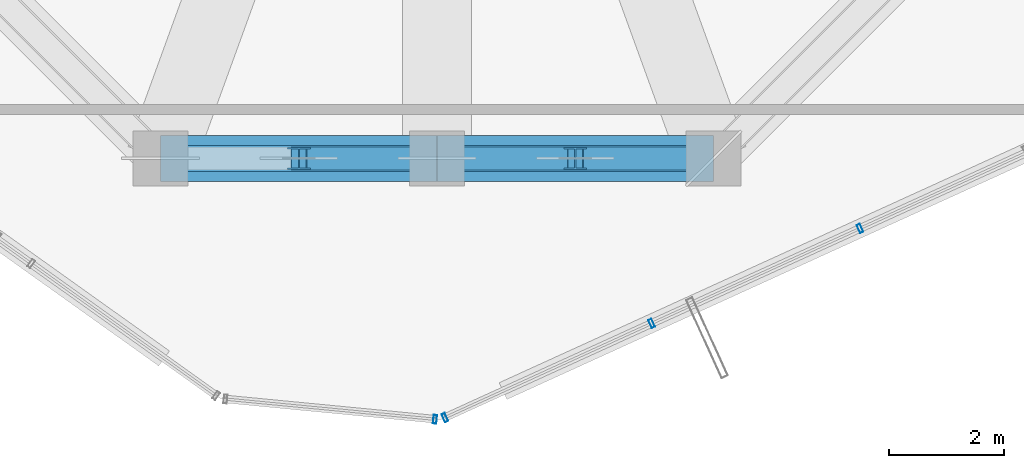
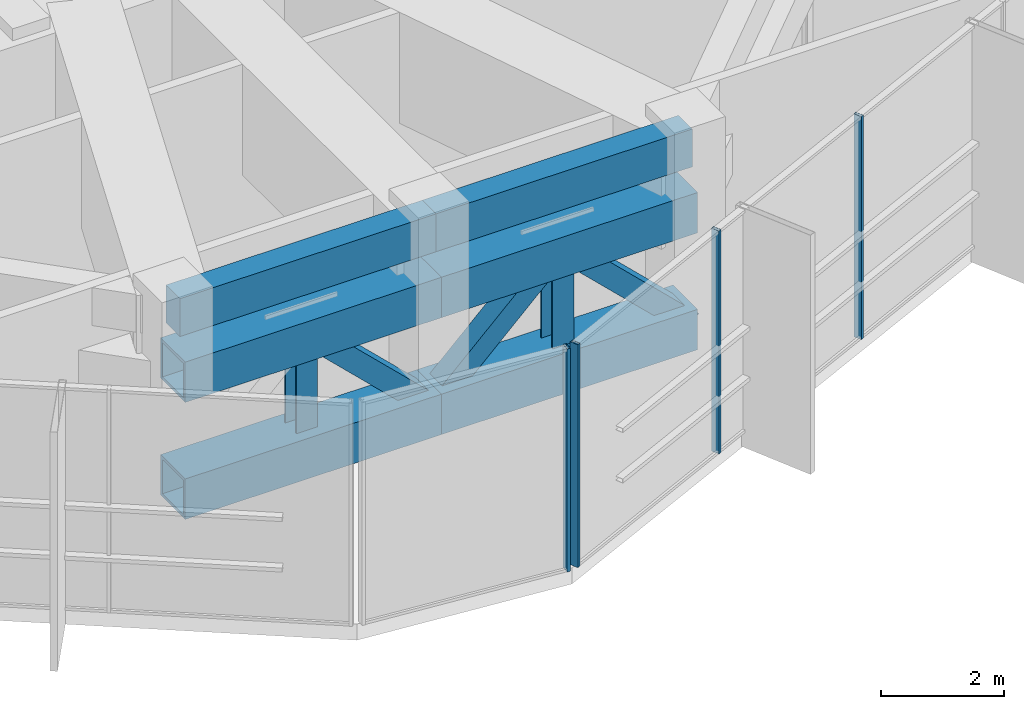
# One storey, part 6 of 31: 13 members, 2 beams, 2 elements without a shape of their own.
"""IFC4 building model written with IfcOpenShell, lengths in metres."""

from ifc_helpers import new_model, si_unit, direction, frame, origin, origin_2d, place, context, subcontext, project, spatial, rectangle, hollow_rectangle, i_section, extrude, source, transform, mapped, material, layer, layer_set, material_profile, profile_set, type_object, element, aggregate, save


model = new_model("IFC4")

# Units and contexts
model_context = context("Model", 3, precision=1e-05, world=origin(), true_north=direction((0.0, 1.0)))
body_context = subcontext(model_context, "Body", "Model", "MODEL_VIEW")
ifc_project = project(units=[si_unit("LENGTHUNIT", "METRE"), si_unit("AREAUNIT", "SQUARE_METRE"), si_unit("VOLUMEUNIT", "CUBIC_METRE"), si_unit("PLANEANGLEUNIT", "RADIAN"), si_unit("MASSUNIT", "GRAM", prefix="KILO")], contexts=[model_context])

# Site, building, storey
site_placement = place(None, origin())
site = spatial("IfcSite", under=ifc_project, at=site_placement, CompositionType="ELEMENT")
building_placement = place(site_placement, origin())
building = spatial("IfcBuilding", under=site, at=building_placement, Name="Veraguas Prism Commons", CompositionType="ELEMENT")
storey_placement = place(building_placement, frame((0.0, 0.0, 225.39990234375)))
storey = spatial("IfcBuildingStorey", under=building, at=storey_placement, Name="L64", CompositionType="ELEMENT", Elevation=225.39990234375)

# Members
ifc_material_1 = material(Name="Steel ASTM A913 Grade 65", Category="steel")
ifc_material_profile_1 = material_profile(ifc_material_1, hollow_rectangle(XDim=0.800048828125, YDim=0.800048828125, WallThickness=0.06005859375, at=origin_2d()), Name="BOX800X800X60")
ifc_profile_set_1 = profile_set([ifc_material_profile_1], Name="Steel ASTM A913 Grade 65")
member_type_1 = type_object("IfcMemberType", Name="Belt Truss Chord L64 Box 800x800x60", PredefinedType="CHORD", material=ifc_profile_set_1)
for number, where, z_axis, x_axis, name in (
    (1, (19.199951171875, 9.10009765625, 0.550048828125), (1.0, 0.0, 0.0), (0.0, 1.0, 0.0), "Perimeter Belt Truss Chord Bottom L64-10"),
    (2, (19.199951171875, 9.10009765625, 2.864990234375), (1.0, 0.0, 0.0), (0.0, 1.0, 0.0), "Perimeter Belt Truss Chord Top L64-10"),
    (3, (24.0, 9.10009765625, 0.550048828125), (1.0, 0.0, 0.0), (0.0, 1.0, 0.0), "Perimeter Belt Truss Chord Bottom L64-11"),
    (4, (24.0, 9.10009765625, 2.864990234375), (1.0, 0.0, 0.0), (0.0, 1.0, 0.0), "Perimeter Belt Truss Chord Top L64-11"),
):
    element("IfcMember", number, at=place(storey_placement, frame(where, z_axis=z_axis, x_axis=x_axis)), inside=storey, type_object=member_type_1, Name=name, PredefinedType="CHORD", context=body_context, shape_type="SweptSolid", body=[
        extrude(hollow_rectangle(XDim=0.800048828125, YDim=0.800048828125, WallThickness=0.06005859375, at=origin_2d()), origin(), (0.0, 0.0, 1.0), 4.800048828125),
    ])
ifc_material_2 = material(Name="Steel ASTM A992 Grade 50", Category="steel")
ifc_material_profile_2 = material_profile(ifc_material_2, i_section(OverallWidth=0.39794921875, OverallDepth=0.386962890625, WebThickness=0.01904296875, FlangeThickness=0.0302734375, at=origin_2d()), Name="W360X262")
ifc_profile_set_2 = profile_set([ifc_material_profile_2], Name="Steel ASTM A992 Grade 50")
member_type_2 = type_object("IfcMemberType", Name="Belt Truss Vertical Strut W360x262", PredefinedType="STRUT", material=ifc_profile_set_2)
for number, where, z_axis, x_axis, name in (
    (5, (21.60009765625, 9.10009765625, 0.550048828125), (0.0, 0.0, 1.0), (1.0, 0.0, 0.0), "Perimeter Belt Truss Strut L64-10"),
    (6, (26.39990234375, 9.10009765625, 0.550048828125), (0.0, 0.0, 1.0), (1.0, 0.0, 0.0), "Perimeter Belt Truss Strut L64-11"),
):
    element("IfcMember", number, at=place(storey_placement, frame(where, z_axis=z_axis, x_axis=x_axis)), inside=storey, type_object=member_type_2, Name=name, PredefinedType="STRUT", context=body_context, shape_type="SweptSolid", body=[
        extrude(i_section(OverallWidth=0.39794921875, OverallDepth=0.386962890625, WebThickness=0.01904296875, FlangeThickness=0.0302734375, at=origin_2d()), origin(), (0.0, 0.0, 1.0), 2.31494140625),
    ])

# Beams
ifc_material_3 = material(Name="Concrete C50/60", Category="concrete")
ifc_material_profile_3 = material_profile(ifc_material_3, rectangle(XDim=0.449951171875, YDim=0.75, at=origin_2d()), Name="RC450X750")
ifc_profile_set_3 = profile_set([ifc_material_profile_3], Name="Concrete C50/60")
beam_type = type_object("IfcBeamType", Name="Perimeter Spandrel Upper RC 450x750", PredefinedType="SPANDREL", material=ifc_profile_set_3)
for number, where, z_axis, x_axis, name in (
    (7, (19.199951171875, 9.10009765625, 4.0400390625), (1.0, 0.0, 0.0), (0.0, 1.0, 0.0), "Perimeter Spandrel Beam L64-SP10"),
    (8, (24.0, 9.10009765625, 4.0400390625), (1.0, 0.0, 0.0), (0.0, 1.0, 0.0), "Perimeter Spandrel Beam L64-SP11"),
):
    element("IfcBeam", number, at=place(storey_placement, frame(where, z_axis=z_axis, x_axis=x_axis)), inside=storey, type_object=beam_type, Name=name, PredefinedType="SPANDREL", context=body_context, shape_type="SweptSolid", body=[
        extrude(rectangle(XDim=0.449951171875, YDim=0.75, at=origin_2d()), origin(), (0.0, 0.0, 1.0), 4.800048828125),
    ])

# Members
ifc_material_4 = material(Name="Steel ASTM A500 Grade C", Category="steel")
ifc_material_profile_4 = material_profile(ifc_material_4, hollow_rectangle(XDim=0.39990234375, YDim=0.39990234375, WallThickness=0.02001953125, at=origin_2d()), Name="HSS400X400X20")
ifc_profile_set_4 = profile_set([ifc_material_profile_4], Name="Steel ASTM A500 Grade C")
member_type_3 = type_object("IfcMemberType", Name="Wind Portal V-Brace HSS 400x400x20", PredefinedType="BRACE", material=ifc_profile_set_4)
for number, where, z_axis, x_axis, name in (
    (9, (24.0, 9.10009765625, 0.550048828125), (-0.719731918537, 0.0, 0.694252090699), (0.0, -1.0, 0.0), "Perimeter Belt Truss Brace L64-10B"),
    (10, (24.0, 9.10009765625, 0.550048828125), (0.719731918537, 0.0, 0.694252090699), (0.0, 1.0, 0.0), "Perimeter Belt Truss Brace L64-11A"),
):
    element("IfcMember", number, at=place(storey_placement, frame(where, z_axis=z_axis, x_axis=x_axis)), inside=storey, type_object=member_type_3, Name=name, PredefinedType="BRACE", context=body_context, shape_type="SweptSolid", body=[
        extrude(hollow_rectangle(XDim=0.39990234375, YDim=0.39990234375, WallThickness=0.02001953125, at=origin_2d()), origin(), (0.0, 0.0, 1.0), 3.33447265625),
    ])
member_1_placement = place(storey_placement, frame((28.800048828125, 9.10009765625, 0.550048828125), z_axis=(-0.719767205746, 0.0, 0.694215506549), x_axis=(0.0, -1.0, 0.0)))
element("IfcMember", 11, at=member_1_placement, inside=storey, type_object=member_type_3, Name="Perimeter Belt Truss Brace L64-11B", PredefinedType="BRACE", context=body_context, shape_type="SweptSolid", body=[
    extrude(hollow_rectangle(XDim=0.39990234375, YDim=0.39990234375, WallThickness=0.02001953125, at=origin_2d()), origin(), (0.0, 0.0, 1.0), 3.334716796875),
])

# Curtain wall, members
ifc_material_5 = material(Name="Anodised aluminium EN AW-6063 T6", Category="aluminium")
ifc_layer = layer(ifc_material_5, 0.14990234375, Name="Unitised Flush Curtain Wall Zone 3", Category="aluminium")
ifc_layer_set = layer_set([ifc_layer], Name="Anodised aluminium EN AW-6063 T6")
curtain_wall_type = type_object("IfcCurtainWallType", Name="Unitised Flush Curtain Wall Zone 3", PredefinedType="NOTDEFINED", material=ifc_layer_set)
curtain_wall_1_placement = place(storey_placement, origin())
curtain_wall_1 = element("IfcCurtainWall", 12, at=curtain_wall_1_placement, inside=storey, type_object=curtain_wall_type, Name="Tower Facade Curtain Wall L64-F5", PredefinedType="NOTDEFINED")
ifc_material_profile_5 = material_profile(ifc_material_5, hollow_rectangle(XDim=0.06005859375, YDim=0.14990234375, WallThickness=0.0029296875, at=origin_2d()), Name="AL60X150X3")
ifc_profile_set_5 = profile_set([ifc_material_profile_5], Name="Anodised aluminium EN AW-6063 T6")
member_type_4 = type_object("IfcMemberType", Name="Curtain Wall Mullion Upper AL 60x150x3", PredefinedType="MULLION", material=ifc_profile_set_5)
shared_shape = source(origin(), body_context, "Body", "SweptSolid", [
    extrude(hollow_rectangle(XDim=0.06005859375, YDim=0.14990234375, WallThickness=0.0029296875, at=origin_2d()), origin(), (0.0, 0.0, 1.0), 4.4150390625),
])
member_2_placement = place(storey_placement, frame((24.13623046875, 4.599609375, 0.0), z_axis=(0.0, 0.0, 1.0), x_axis=(0.909961994651, 0.414691654474, 0.0)))
member_2 = element("IfcMember", 13, at=member_2_placement, type_object=member_type_4, Name="CW-Z3 Mullion 1", PredefinedType="MULLION", context=body_context, shape_type="MappedRepresentation", body=[
    mapped(shared_shape, transform((0.0, 0.0, 0.0), scale=1.0)),
])
member_3_placement = place(storey_placement, frame((27.7265625, 6.23583984375, 0.0), z_axis=(0.0, 0.0, 1.0), x_axis=(0.909961994651, 0.414691654474, 0.0)))
member_3 = element("IfcMember", 14, at=member_3_placement, type_object=member_type_4, Name="CW-Z3 Mullion 2", PredefinedType="MULLION", context=body_context, shape_type="MappedRepresentation", body=[
    mapped(shared_shape, transform((0.0, 0.0, 0.0), scale=1.0)),
])
member_4_placement = place(storey_placement, frame((31.34423828125, 7.884521484375, 0.0), z_axis=(0.0, 0.0, 1.0), x_axis=(0.909961994651, 0.414691654474, 0.0)))
member_4 = element("IfcMember", 15, at=member_4_placement, type_object=member_type_4, Name="CW-Z3 Mullion 3", PredefinedType="MULLION", context=body_context, shape_type="MappedRepresentation", body=[
    mapped(shared_shape, transform((0.0, 0.0, 0.0), scale=1.0)),
])
aggregate(curtain_wall_1, [member_2, member_3, member_4])

# Curtain wall, member
curtain_wall_2_placement = place(storey_placement, origin())
curtain_wall_2 = element("IfcCurtainWall", 16, at=curtain_wall_2_placement, inside=storey, type_object=curtain_wall_type, Name="Chamfer Curtain Wall L64-C5", PredefinedType="NOTDEFINED")
member_5_placement = place(storey_placement, frame((23.96484375, 4.57080078125, 0.0), z_axis=(0.0, 0.0, 1.0), x_axis=(0.99539904173, -0.095816218478, 0.0)))
member_5 = element("IfcMember", 17, at=member_5_placement, type_object=member_type_4, Name="CW-Z3 Mullion 2", PredefinedType="MULLION", context=body_context, shape_type="MappedRepresentation", body=[
    mapped(shared_shape, transform((0.0, 0.0, 0.0), scale=1.0)),
])
aggregate(curtain_wall_2, [member_5])

save(model, "model.ifc")
